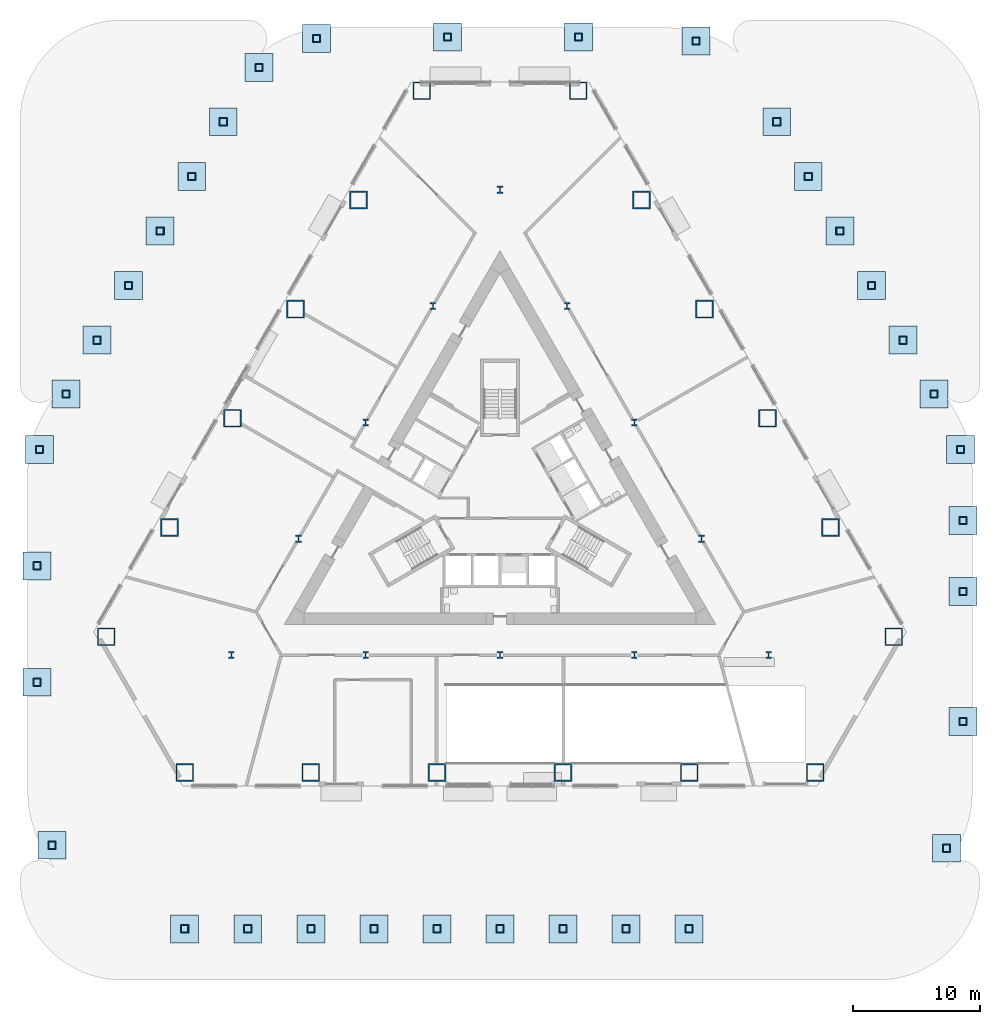
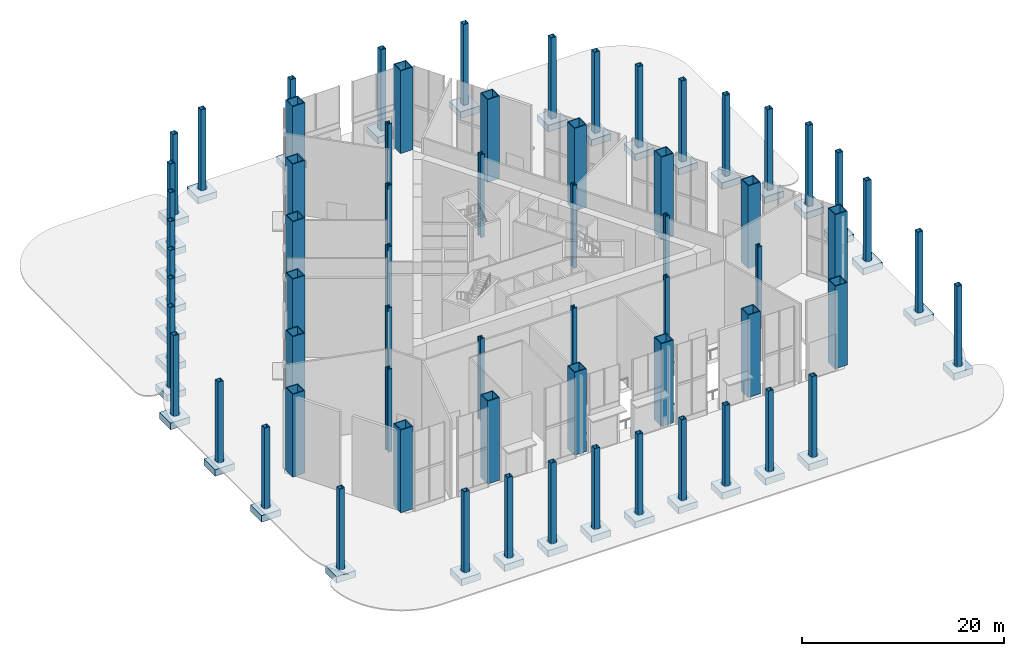
# One storey, part 1 of 18: 65 columns, 35 footings.
"""IFC4 building model written with IfcOpenShell, lengths in metres."""

from ifc_helpers import new_model, si_unit, direction, frame, origin, origin_2d, place, context, subcontext, project, spatial, polyline, hollow_rectangle, i_section, outline, extrude, material, layer, layer_set, material_profile, profile_set, type_object, element, save


model = new_model("IFC4")

# Units and contexts
model_context = context("Model", 3, precision=1e-05, world=origin(), true_north=direction((0.0, 1.0)))
body_context = subcontext(model_context, "Body", "Model", "MODEL_VIEW")
ifc_project = project(units=[si_unit("LENGTHUNIT", "METRE"), si_unit("AREAUNIT", "SQUARE_METRE"), si_unit("VOLUMEUNIT", "CUBIC_METRE"), si_unit("PLANEANGLEUNIT", "RADIAN"), si_unit("MASSUNIT", "GRAM", prefix="KILO")], contexts=[model_context])

# Site, building, storey
site_placement = place(None, origin())
site = spatial("IfcSite", under=ifc_project, at=site_placement, CompositionType="ELEMENT")
building_placement = place(site_placement, origin())
building = spatial("IfcBuilding", under=site, at=building_placement, Name="Cormorant Prow Tower", CompositionType="ELEMENT")
storey_placement = place(building_placement, origin())
storey = spatial("IfcBuildingStorey", under=building, at=storey_placement, Name="L00", CompositionType="ELEMENT", Elevation=0.0)

# Footings
ifc_material_1 = material(Name="Concrete C40/50", Category="concrete")
ifc_layer = layer(ifc_material_1, 0.800048828125)
ifc_layer_set = layer_set([ifc_layer], Name="Concrete C40/50")
footing_type = type_object("IfcFootingType", Name="Arcade pad footing 800", PredefinedType="PAD_FOOTING", material=ifc_layer_set)
footing_1_placement = place(storey_placement, frame((0.0, 0.0, -1.0)))
element("IfcFooting", 1, at=footing_1_placement, inside=storey, type_object=footing_type, Name="Arcade pad footing 1", PredefinedType="PAD_FOOTING", context=body_context, shape_type="SweptSolid", body=[
    extrude(outline(polyline([(-37.550048828125, -15.452880859375), (-35.35009765625, -15.452880859375), (-35.35009765625, -13.2529296875), (-37.550048828125, -13.2529296875), (-37.550048828125, -15.452880859375)])), origin(), (0.0, 0.0, 1.0), 0.800048828125),
])
footing_2_placement = place(storey_placement, frame((0.0, 0.0, -1.0)))
element("IfcFooting", 2, at=footing_2_placement, inside=storey, type_object=footing_type, Name="Arcade pad footing 2", PredefinedType="PAD_FOOTING", context=body_context, shape_type="SweptSolid", body=[
    extrude(outline(polyline([(-37.550048828125, -6.281005859375), (-35.35009765625, -6.281005859375), (-35.35009765625, -4.0810546875), (-37.550048828125, -4.0810546875), (-37.550048828125, -6.281005859375)])), origin(), (0.0, 0.0, 1.0), 0.800048828125),
])
footing_3_placement = place(storey_placement, frame((0.0, 0.0, -1.0)))
element("IfcFooting", 3, at=footing_3_placement, inside=storey, type_object=footing_type, Name="Arcade pad footing 3", PredefinedType="PAD_FOOTING", context=body_context, shape_type="SweptSolid", body=[
    extrude(outline(polyline([(-37.35009765625, 2.876953125), (-35.14990234375, 2.876953125), (-35.14990234375, 5.076904296875), (-37.35009765625, 5.076904296875), (-37.35009765625, 2.876953125)])), origin(), (0.0, 0.0, 1.0), 0.800048828125),
])
footing_4_placement = place(storey_placement, frame((0.0, 0.0, -1.0)))
element("IfcFooting", 4, at=footing_4_placement, inside=storey, type_object=footing_type, Name="Arcade pad footing 4", PredefinedType="PAD_FOOTING", context=body_context, shape_type="SweptSolid", body=[
    extrude(outline(polyline([(-35.263916015625, 7.259033203125), (-33.06396484375, 7.259033203125), (-33.06396484375, 9.458984375), (-35.263916015625, 9.458984375), (-35.263916015625, 7.259033203125)])), origin(), (0.0, 0.0, 1.0), 0.800048828125),
])
footing_5_placement = place(storey_placement, frame((0.0, 0.0, -1.0)))
element("IfcFooting", 5, at=footing_5_placement, inside=storey, type_object=footing_type, Name="Arcade pad footing 5", PredefinedType="PAD_FOOTING", context=body_context, shape_type="SweptSolid", body=[
    extrude(outline(polyline([(-32.825927734375, 11.48291015625), (-30.6259765625, 11.48291015625), (-30.6259765625, 13.68310546875), (-32.825927734375, 13.68310546875), (-32.825927734375, 11.48291015625)])), origin(), (0.0, 0.0, 1.0), 0.800048828125),
])
footing_6_placement = place(storey_placement, frame((0.0, 0.0, -1.0)))
element("IfcFooting", 6, at=footing_6_placement, inside=storey, type_object=footing_type, Name="Arcade pad footing 6", PredefinedType="PAD_FOOTING", context=body_context, shape_type="SweptSolid", body=[
    extrude(outline(polyline([(-30.343017578125, 15.782958984375), (-28.14306640625, 15.782958984375), (-28.14306640625, 17.98291015625), (-30.343017578125, 17.98291015625), (-30.343017578125, 15.782958984375)])), origin(), (0.0, 0.0, 1.0), 0.800048828125),
])
footing_7_placement = place(storey_placement, frame((0.0, 0.0, -1.0)))
element("IfcFooting", 7, at=footing_7_placement, inside=storey, type_object=footing_type, Name="Arcade pad footing 7", PredefinedType="PAD_FOOTING", context=body_context, shape_type="SweptSolid", body=[
    extrude(outline(polyline([(-27.860107421875, 20.083984375), (-25.659912109375, 20.083984375), (-25.659912109375, 22.283935546875), (-27.860107421875, 22.283935546875), (-27.860107421875, 20.083984375)])), origin(), (0.0, 0.0, 1.0), 0.800048828125),
])
footing_8_placement = place(storey_placement, frame((0.0, 0.0, -1.0)))
element("IfcFooting", 8, at=footing_8_placement, inside=storey, type_object=footing_type, Name="Arcade pad footing 8", PredefinedType="PAD_FOOTING", context=body_context, shape_type="SweptSolid", body=[
    extrude(outline(polyline([(-25.376953125, 24.385009765625), (-23.177001953125, 24.385009765625), (-23.177001953125, 26.5849609375), (-25.376953125, 26.5849609375), (-25.376953125, 24.385009765625)])), origin(), (0.0, 0.0, 1.0), 0.800048828125),
])
footing_9_placement = place(storey_placement, frame((0.0, 0.0, -1.0)))
element("IfcFooting", 9, at=footing_9_placement, inside=storey, type_object=footing_type, Name="Arcade pad footing 9", PredefinedType="PAD_FOOTING", context=body_context, shape_type="SweptSolid", body=[
    extrude(outline(polyline([(-22.89404296875, 28.68603515625), (-20.694091796875, 28.68603515625), (-20.694091796875, 30.885986328125), (-22.89404296875, 30.885986328125), (-22.89404296875, 28.68603515625)])), origin(), (0.0, 0.0, 1.0), 0.800048828125),
])
footing_10_placement = place(storey_placement, frame((0.0, 0.0, -1.0)))
element("IfcFooting", 10, at=footing_10_placement, inside=storey, type_object=footing_type, Name="Arcade pad footing 10", PredefinedType="PAD_FOOTING", context=body_context, shape_type="SweptSolid", body=[
    extrude(outline(polyline([(-20.075927734375, 32.970947265625), (-17.8759765625, 32.970947265625), (-17.8759765625, 35.1708984375), (-20.075927734375, 35.1708984375), (-20.075927734375, 32.970947265625)])), origin(), (0.0, 0.0, 1.0), 0.800048828125),
])
footing_11_placement = place(storey_placement, frame((0.0, 0.0, -1.0)))
element("IfcFooting", 11, at=footing_11_placement, inside=storey, type_object=footing_type, Name="Arcade pad footing 11", PredefinedType="PAD_FOOTING", context=body_context, shape_type="SweptSolid", body=[
    extrude(outline(polyline([(-15.553955078125, 35.2470703125), (-13.35400390625, 35.2470703125), (-13.35400390625, 37.447021484375), (-15.553955078125, 37.447021484375), (-15.553955078125, 35.2470703125)])), origin(), (0.0, 0.0, 1.0), 0.800048828125),
])
footing_12_placement = place(storey_placement, frame((0.0, 0.0, -1.0)))
element("IfcFooting", 12, at=footing_12_placement, inside=storey, type_object=footing_type, Name="Arcade pad footing 12", PredefinedType="PAD_FOOTING", context=body_context, shape_type="SweptSolid", body=[
    extrude(outline(polyline([(-5.2451171875, 35.35009765625), (-3.044921875, 35.35009765625), (-3.044921875, 37.550048828125), (-5.2451171875, 37.550048828125), (-5.2451171875, 35.35009765625)])), origin(), (0.0, 0.0, 1.0), 0.800048828125),
])
footing_13_placement = place(storey_placement, frame((0.0, 0.0, -1.0)))
element("IfcFooting", 13, at=footing_13_placement, inside=storey, type_object=footing_type, Name="Arcade pad footing 13", PredefinedType="PAD_FOOTING", context=body_context, shape_type="SweptSolid", body=[
    extrude(outline(polyline([(5.070068359375, 35.35009765625), (7.27001953125, 35.35009765625), (7.27001953125, 37.550048828125), (5.070068359375, 37.550048828125), (5.070068359375, 35.35009765625)])), origin(), (0.0, 0.0, 1.0), 0.800048828125),
])
footing_14_placement = place(storey_placement, frame((0.0, 0.0, -1.0)))
element("IfcFooting", 14, at=footing_14_placement, inside=storey, type_object=footing_type, Name="Arcade pad footing 14", PredefinedType="PAD_FOOTING", context=body_context, shape_type="SweptSolid", body=[
    extrude(outline(polyline([(14.33203125, 35.033935546875), (16.531982421875, 35.033935546875), (16.531982421875, 37.23388671875), (14.33203125, 37.23388671875), (14.33203125, 35.033935546875)])), origin(), (0.0, 0.0, 1.0), 0.800048828125),
])
footing_15_placement = place(storey_placement, frame((0.0, 0.0, -1.0)))
element("IfcFooting", 15, at=footing_15_placement, inside=storey, type_object=footing_type, Name="Arcade pad footing 15", PredefinedType="PAD_FOOTING", context=body_context, shape_type="SweptSolid", body=[
    extrude(outline(polyline([(20.694091796875, 28.68603515625), (22.89404296875, 28.68603515625), (22.89404296875, 30.885986328125), (20.694091796875, 30.885986328125), (20.694091796875, 28.68603515625)])), origin(), (0.0, 0.0, 1.0), 0.800048828125),
])
footing_16_placement = place(storey_placement, frame((0.0, 0.0, -1.0)))
element("IfcFooting", 16, at=footing_16_placement, inside=storey, type_object=footing_type, Name="Arcade pad footing 16", PredefinedType="PAD_FOOTING", context=body_context, shape_type="SweptSolid", body=[
    extrude(outline(polyline([(23.177001953125, 24.385009765625), (25.376953125, 24.385009765625), (25.376953125, 26.5849609375), (23.177001953125, 26.5849609375), (23.177001953125, 24.385009765625)])), origin(), (0.0, 0.0, 1.0), 0.800048828125),
])
footing_17_placement = place(storey_placement, frame((0.0, 0.0, -1.0)))
element("IfcFooting", 17, at=footing_17_placement, inside=storey, type_object=footing_type, Name="Arcade pad footing 17", PredefinedType="PAD_FOOTING", context=body_context, shape_type="SweptSolid", body=[
    extrude(outline(polyline([(25.659912109375, 20.083984375), (27.860107421875, 20.083984375), (27.860107421875, 22.283935546875), (25.659912109375, 22.283935546875), (25.659912109375, 20.083984375)])), origin(), (0.0, 0.0, 1.0), 0.800048828125),
])
footing_18_placement = place(storey_placement, frame((0.0, 0.0, -1.0)))
element("IfcFooting", 18, at=footing_18_placement, inside=storey, type_object=footing_type, Name="Arcade pad footing 18", PredefinedType="PAD_FOOTING", context=body_context, shape_type="SweptSolid", body=[
    extrude(outline(polyline([(28.14306640625, 15.782958984375), (30.343017578125, 15.782958984375), (30.343017578125, 17.98291015625), (28.14306640625, 17.98291015625), (28.14306640625, 15.782958984375)])), origin(), (0.0, 0.0, 1.0), 0.800048828125),
])
footing_19_placement = place(storey_placement, frame((0.0, 0.0, -1.0)))
element("IfcFooting", 19, at=footing_19_placement, inside=storey, type_object=footing_type, Name="Arcade pad footing 19", PredefinedType="PAD_FOOTING", context=body_context, shape_type="SweptSolid", body=[
    extrude(outline(polyline([(30.6259765625, 11.48291015625), (32.825927734375, 11.48291015625), (32.825927734375, 13.68310546875), (30.6259765625, 13.68310546875), (30.6259765625, 11.48291015625)])), origin(), (0.0, 0.0, 1.0), 0.800048828125),
])
footing_20_placement = place(storey_placement, frame((0.0, 0.0, -1.0)))
element("IfcFooting", 20, at=footing_20_placement, inside=storey, type_object=footing_type, Name="Arcade pad footing 20", PredefinedType="PAD_FOOTING", context=body_context, shape_type="SweptSolid", body=[
    extrude(outline(polyline([(33.06396484375, 7.259033203125), (35.263916015625, 7.259033203125), (35.263916015625, 9.458984375), (33.06396484375, 9.458984375), (33.06396484375, 7.259033203125)])), origin(), (0.0, 0.0, 1.0), 0.800048828125),
])
footing_21_placement = place(storey_placement, frame((0.0, 0.0, -1.0)))
element("IfcFooting", 21, at=footing_21_placement, inside=storey, type_object=footing_type, Name="Arcade pad footing 21", PredefinedType="PAD_FOOTING", context=body_context, shape_type="SweptSolid", body=[
    extrude(outline(polyline([(35.14990234375, 2.876953125), (37.35009765625, 2.876953125), (37.35009765625, 5.076904296875), (35.14990234375, 5.076904296875), (35.14990234375, 2.876953125)])), origin(), (0.0, 0.0, 1.0), 0.800048828125),
])
footing_22_placement = place(storey_placement, frame((0.0, 0.0, -1.0)))
element("IfcFooting", 22, at=footing_22_placement, inside=storey, type_object=footing_type, Name="Arcade pad footing 22", PredefinedType="PAD_FOOTING", context=body_context, shape_type="SweptSolid", body=[
    extrude(outline(polyline([(35.35009765625, -2.700927734375), (37.550048828125, -2.700927734375), (37.550048828125, -0.5009765625), (35.35009765625, -0.5009765625), (35.35009765625, -2.700927734375)])), origin(), (0.0, 0.0, 1.0), 0.800048828125),
])
footing_23_placement = place(storey_placement, frame((0.0, 0.0, -1.0)))
element("IfcFooting", 23, at=footing_23_placement, inside=storey, type_object=footing_type, Name="Arcade pad footing 23", PredefinedType="PAD_FOOTING", context=body_context, shape_type="SweptSolid", body=[
    extrude(outline(polyline([(35.35009765625, -8.2939453125), (37.550048828125, -8.2939453125), (37.550048828125, -6.093994140625), (35.35009765625, -6.093994140625), (35.35009765625, -8.2939453125)])), origin(), (0.0, 0.0, 1.0), 0.800048828125),
])
footing_24_placement = place(storey_placement, frame((0.0, 0.0, -1.0)))
element("IfcFooting", 24, at=footing_24_placement, inside=storey, type_object=footing_type, Name="Arcade pad footing 24", PredefinedType="PAD_FOOTING", context=body_context, shape_type="SweptSolid", body=[
    extrude(outline(polyline([(35.35009765625, -18.530029296875), (37.550048828125, -18.530029296875), (37.550048828125, -16.330078125), (35.35009765625, -16.330078125), (35.35009765625, -18.530029296875)])), origin(), (0.0, 0.0, 1.0), 0.800048828125),
])
footing_25_placement = place(storey_placement, frame((0.0, 0.0, -1.0)))
element("IfcFooting", 25, at=footing_25_placement, inside=storey, type_object=footing_type, Name="Arcade pad footing 25", PredefinedType="PAD_FOOTING", context=body_context, shape_type="SweptSolid", body=[
    extrude(outline(polyline([(34.05810546875, -28.52294921875), (36.258056640625, -28.52294921875), (36.258056640625, -26.322998046875), (34.05810546875, -26.322998046875), (34.05810546875, -28.52294921875)])), origin(), (0.0, 0.0, 1.0), 0.800048828125),
])
footing_26_placement = place(storey_placement, frame((0.0, 0.0, -1.0)))
element("IfcFooting", 26, at=footing_26_placement, inside=storey, type_object=footing_type, Name="Arcade pad footing 26", PredefinedType="PAD_FOOTING", context=body_context, shape_type="SweptSolid", body=[
    extrude(outline(polyline([(13.798095703125, -34.866943359375), (15.998046875, -34.866943359375), (15.998046875, -32.6669921875), (13.798095703125, -32.6669921875), (13.798095703125, -34.866943359375)])), origin(), (0.0, 0.0, 1.0), 0.800048828125),
])
footing_27_placement = place(storey_placement, frame((0.0, 0.0, -1.0)))
element("IfcFooting", 27, at=footing_27_placement, inside=storey, type_object=footing_type, Name="Arcade pad footing 27", PredefinedType="PAD_FOOTING", context=body_context, shape_type="SweptSolid", body=[
    extrude(outline(polyline([(8.83203125, -34.866943359375), (11.031982421875, -34.866943359375), (11.031982421875, -32.6669921875), (8.83203125, -32.6669921875), (8.83203125, -34.866943359375)])), origin(), (0.0, 0.0, 1.0), 0.800048828125),
])
footing_28_placement = place(storey_placement, frame((0.0, 0.0, -1.0)))
element("IfcFooting", 28, at=footing_28_placement, inside=storey, type_object=footing_type, Name="Arcade pad footing 28", PredefinedType="PAD_FOOTING", context=body_context, shape_type="SweptSolid", body=[
    extrude(outline(polyline([(3.865966796875, -34.866943359375), (6.06591796875, -34.866943359375), (6.06591796875, -32.6669921875), (3.865966796875, -32.6669921875), (3.865966796875, -34.866943359375)])), origin(), (0.0, 0.0, 1.0), 0.800048828125),
])
footing_29_placement = place(storey_placement, frame((0.0, 0.0, -1.0)))
element("IfcFooting", 29, at=footing_29_placement, inside=storey, type_object=footing_type, Name="Arcade pad footing 29", PredefinedType="PAD_FOOTING", context=body_context, shape_type="SweptSolid", body=[
    extrude(outline(polyline([(-1.10009765625, -34.866943359375), (1.10009765625, -34.866943359375), (1.10009765625, -32.6669921875), (-1.10009765625, -32.6669921875), (-1.10009765625, -34.866943359375)])), origin(), (0.0, 0.0, 1.0), 0.800048828125),
])
footing_30_placement = place(storey_placement, frame((0.0, 0.0, -1.0)))
element("IfcFooting", 30, at=footing_30_placement, inside=storey, type_object=footing_type, Name="Arcade pad footing 30", PredefinedType="PAD_FOOTING", context=body_context, shape_type="SweptSolid", body=[
    extrude(outline(polyline([(-6.06591796875, -34.866943359375), (-3.865966796875, -34.866943359375), (-3.865966796875, -32.6669921875), (-6.06591796875, -32.6669921875), (-6.06591796875, -34.866943359375)])), origin(), (0.0, 0.0, 1.0), 0.800048828125),
])
footing_31_placement = place(storey_placement, frame((0.0, 0.0, -1.0)))
element("IfcFooting", 31, at=footing_31_placement, inside=storey, type_object=footing_type, Name="Arcade pad footing 31", PredefinedType="PAD_FOOTING", context=body_context, shape_type="SweptSolid", body=[
    extrude(outline(polyline([(-11.031982421875, -34.866943359375), (-8.83203125, -34.866943359375), (-8.83203125, -32.6669921875), (-11.031982421875, -32.6669921875), (-11.031982421875, -34.866943359375)])), origin(), (0.0, 0.0, 1.0), 0.800048828125),
])
footing_32_placement = place(storey_placement, frame((0.0, 0.0, -1.0)))
element("IfcFooting", 32, at=footing_32_placement, inside=storey, type_object=footing_type, Name="Arcade pad footing 32", PredefinedType="PAD_FOOTING", context=body_context, shape_type="SweptSolid", body=[
    extrude(outline(polyline([(-15.998046875, -34.866943359375), (-13.798095703125, -34.866943359375), (-13.798095703125, -32.6669921875), (-15.998046875, -32.6669921875), (-15.998046875, -34.866943359375)])), origin(), (0.0, 0.0, 1.0), 0.800048828125),
])
footing_33_placement = place(storey_placement, frame((0.0, 0.0, -1.0)))
element("IfcFooting", 33, at=footing_33_placement, inside=storey, type_object=footing_type, Name="Arcade pad footing 33", PredefinedType="PAD_FOOTING", context=body_context, shape_type="SweptSolid", body=[
    extrude(outline(polyline([(-20.964111328125, -34.866943359375), (-18.763916015625, -34.866943359375), (-18.763916015625, -32.6669921875), (-20.964111328125, -32.6669921875), (-20.964111328125, -34.866943359375)])), origin(), (0.0, 0.0, 1.0), 0.800048828125),
])
footing_34_placement = place(storey_placement, frame((0.0, 0.0, -1.0)))
element("IfcFooting", 34, at=footing_34_placement, inside=storey, type_object=footing_type, Name="Arcade pad footing 34", PredefinedType="PAD_FOOTING", context=body_context, shape_type="SweptSolid", body=[
    extrude(outline(polyline([(-25.929931640625, -34.866943359375), (-23.72998046875, -34.866943359375), (-23.72998046875, -32.6669921875), (-25.929931640625, -32.6669921875), (-25.929931640625, -34.866943359375)])), origin(), (0.0, 0.0, 1.0), 0.800048828125),
])
footing_35_placement = place(storey_placement, frame((0.0, 0.0, -1.0)))
element("IfcFooting", 35, at=footing_35_placement, inside=storey, type_object=footing_type, Name="Arcade pad footing 35", PredefinedType="PAD_FOOTING", context=body_context, shape_type="SweptSolid", body=[
    extrude(outline(polyline([(-36.39306640625, -28.2890625), (-34.193115234375, -28.2890625), (-34.193115234375, -26.089111328125), (-36.39306640625, -26.089111328125), (-36.39306640625, -28.2890625)])), origin(), (0.0, 0.0, 1.0), 0.800048828125),
])

# Columns
ifc_material_2 = material(Name="Structural steel ASTM A572 Gr 50", Category="steel")
ifc_material_profile_1 = material_profile(ifc_material_2, hollow_rectangle(XDim=0.60009765625, YDim=0.60009765625, WallThickness=0.0400390625, at=origin_2d()), Name="Box 600x600x40")
ifc_profile_set_1 = profile_set([ifc_material_profile_1], Name="Structural steel ASTM A572 Gr 50")
column_type_1 = type_object("IfcColumnType", Name="Arcade column 600x600x40", PredefinedType="COLUMN", material=ifc_profile_set_1)
for number, where, z_axis, x_axis, name in (
    (36, (-36.449951171875, -14.35302734375, -0.199951171875), (0.0, 0.0, 1.0), (1.0, 0.0, 0.0), "Arcade column 1"),
    (37, (-36.449951171875, -5.180908203125, -0.199951171875), (0.0, 0.0, 1.0), (1.0, 0.0, 0.0), "Arcade column 2"),
    (38, (-36.25, 3.97705078125, -0.199951171875), (0.0, 0.0, 1.0), (1.0, 0.0, 0.0), "Arcade column 3"),
    (39, (-34.1640625, 8.35888671875, -0.199951171875), (0.0, 0.0, 1.0), (1.0, 0.0, 0.0), "Arcade column 4"),
    (40, (-31.72607421875, 12.5830078125, -0.199951171875), (0.0, 0.0, 1.0), (1.0, 0.0, 0.0), "Arcade column 5"),
    (41, (-29.242919921875, 16.883056640625, -0.199951171875), (0.0, 0.0, 1.0), (1.0, 0.0, 0.0), "Arcade column 6"),
    (42, (-26.760009765625, 21.18408203125, -0.199951171875), (0.0, 0.0, 1.0), (1.0, 0.0, 0.0), "Arcade column 7"),
    (43, (-24.277099609375, 25.485107421875, -0.199951171875), (0.0, 0.0, 1.0), (1.0, 0.0, 0.0), "Arcade column 8"),
    (44, (-21.7939453125, 29.785888671875, -0.199951171875), (0.0, 0.0, 1.0), (1.0, 0.0, 0.0), "Arcade column 9"),
    (45, (-18.97607421875, 34.071044921875, -0.199951171875), (0.0, 0.0, 1.0), (1.0, 0.0, 0.0), "Arcade column 10"),
    (46, (-14.4541015625, 36.346923828125, -0.199951171875), (0.0, 0.0, 1.0), (1.0, 0.0, 0.0), "Arcade column 11"),
    (47, (-4.14501953125, 36.449951171875, -0.199951171875), (0.0, 0.0, 1.0), (1.0, 0.0, 0.0), "Arcade column 12"),
    (48, (6.169921875, 36.449951171875, -0.199951171875), (0.0, 0.0, 1.0), (1.0, 0.0, 0.0), "Arcade column 13"),
    (49, (15.431884765625, 36.134033203125, -0.199951171875), (0.0, 0.0, 1.0), (1.0, 0.0, 0.0), "Arcade column 14"),
    (50, (21.7939453125, 29.785888671875, -0.199951171875), (0.0, 0.0, 1.0), (1.0, 0.0, 0.0), "Arcade column 15"),
    (51, (24.277099609375, 25.485107421875, -0.199951171875), (0.0, 0.0, 1.0), (1.0, 0.0, 0.0), "Arcade column 16"),
    (52, (26.760009765625, 21.18408203125, -0.199951171875), (0.0, 0.0, 1.0), (1.0, 0.0, 0.0), "Arcade column 17"),
    (53, (29.242919921875, 16.883056640625, -0.199951171875), (0.0, 0.0, 1.0), (1.0, 0.0, 0.0), "Arcade column 18"),
    (54, (31.72607421875, 12.5830078125, -0.199951171875), (0.0, 0.0, 1.0), (1.0, 0.0, 0.0), "Arcade column 19"),
    (55, (34.1640625, 8.35888671875, -0.199951171875), (0.0, 0.0, 1.0), (1.0, 0.0, 0.0), "Arcade column 20"),
    (56, (36.25, 3.97705078125, -0.199951171875), (0.0, 0.0, 1.0), (1.0, 0.0, 0.0), "Arcade column 21"),
    (57, (36.449951171875, -1.60107421875, -0.199951171875), (0.0, 0.0, 1.0), (1.0, 0.0, 0.0), "Arcade column 22"),
    (58, (36.449951171875, -7.194091796875, -0.199951171875), (0.0, 0.0, 1.0), (1.0, 0.0, 0.0), "Arcade column 23"),
    (59, (36.449951171875, -17.429931640625, -0.199951171875), (0.0, 0.0, 1.0), (1.0, 0.0, 0.0), "Arcade column 24"),
    (60, (35.157958984375, -27.423095703125, -0.199951171875), (0.0, 0.0, 1.0), (1.0, 0.0, 0.0), "Arcade column 25"),
    (61, (14.89794921875, -33.76708984375, -0.199951171875), (0.0, 0.0, 1.0), (1.0, 0.0, 0.0), "Arcade column 26"),
    (62, (9.931884765625, -33.76708984375, -0.199951171875), (0.0, 0.0, 1.0), (1.0, 0.0, 0.0), "Arcade column 27"),
    (63, (4.966064453125, -33.76708984375, -0.199951171875), (0.0, 0.0, 1.0), (1.0, 0.0, 0.0), "Arcade column 28"),
    (64, (0.0, -33.76708984375, -0.199951171875), (0.0, 0.0, 1.0), (1.0, 0.0, 0.0), "Arcade column 29"),
    (65, (-4.966064453125, -33.76708984375, -0.199951171875), (0.0, 0.0, 1.0), (1.0, 0.0, 0.0), "Arcade column 30"),
    (66, (-9.931884765625, -33.76708984375, -0.199951171875), (0.0, 0.0, 1.0), (1.0, 0.0, 0.0), "Arcade column 31"),
    (67, (-14.89794921875, -33.76708984375, -0.199951171875), (0.0, 0.0, 1.0), (1.0, 0.0, 0.0), "Arcade column 32"),
    (68, (-19.864013671875, -33.76708984375, -0.199951171875), (0.0, 0.0, 1.0), (1.0, 0.0, 0.0), "Arcade column 33"),
    (69, (-24.830078125, -33.76708984375, -0.199951171875), (0.0, 0.0, 1.0), (1.0, 0.0, 0.0), "Arcade column 34"),
    (70, (-35.29296875, -27.18896484375, -0.199951171875), (0.0, 0.0, 1.0), (1.0, 0.0, 0.0), "Arcade column 35"),
):
    element("IfcColumn", number, at=place(storey_placement, frame(where, z_axis=z_axis, x_axis=x_axis)), inside=storey, type_object=column_type_1, Name=name, PredefinedType="COLUMN", context=body_context, shape_type="SweptSolid", body=[
        extrude(hollow_rectangle(XDim=0.60009765625, YDim=0.60009765625, WallThickness=0.0400390625, at=origin_2d()), origin(), (0.0, 0.0, 1.0), 9.800048828125),
    ])
ifc_material_3 = material(Name="Structural steel ASTM A572 Gr 50", Category="steel")
ifc_material_profile_2 = material_profile(ifc_material_3, hollow_rectangle(XDim=1.39990234375, YDim=1.39990234375, WallThickness=0.10009765625, at=origin_2d()), Name="Box 1400x1400x100")
ifc_profile_set_2 = profile_set([ifc_material_profile_2], Name="Structural steel ASTM A572 Gr 50")
column_type_2 = type_object("IfcColumnType", Name="Perimeter box column 1400x1400x100", PredefinedType="COLUMN", material=ifc_profile_set_2)
for number, where, z_axis, x_axis, name in (
    (71, (-24.830322265625, -21.4599609375, 0.0), (0.0, 0.0, 1.0), (1.0, 0.0, 0.0), "Perimeter column at S00 L00"),
    (72, (-14.898193359375, -21.4599609375, 0.0), (0.0, 0.0, 1.0), (1.0, 0.0, 0.0), "Perimeter column at S02 L00"),
    (73, (-4.966064453125, -21.4599609375, 0.0), (0.0, 0.0, 1.0), (1.0, 0.0, 0.0), "Perimeter column at S04 L00"),
    (74, (4.966064453125, -21.4599609375, 0.0), (0.0, 0.0, 1.0), (1.0, 0.0, 0.0), "Perimeter column at S06 L00"),
    (75, (14.898193359375, -21.4599609375, 0.0), (0.0, 0.0, 1.0), (1.0, 0.0, 0.0), "Perimeter column at S08 L00"),
    (76, (24.830322265625, -21.4599609375, 0.0), (0.0, 0.0, 1.0), (1.0, 0.0, 0.0), "Perimeter column at ESE00 L00"),
    (77, (31.0, -10.773681640625, 0.0), (0.0, 0.0, 1.0), (1.0, 0.0, 0.0), "Perimeter column at ENE00 L00"),
    (78, (26.033935546875, -2.17236328125, 0.0), (0.0, 0.0, 1.0), (1.0, 0.0, 0.0), "Perimeter column at ENE02 L00"),
    (79, (21.06787109375, 6.42919921875, 0.0), (0.0, 0.0, 1.0), (1.0, 0.0, 0.0), "Perimeter column at ENE04 L00"),
    (80, (16.101806640625, 15.03076171875, 0.0), (0.0, 0.0, 1.0), (1.0, 0.0, 0.0), "Perimeter column at ENE06 L00"),
    (81, (11.1357421875, 23.632080078125, 0.0), (0.0, 0.0, 1.0), (1.0, 0.0, 0.0), "Perimeter column at ENE08 L00"),
    (82, (6.169677734375, 32.233642578125, 0.0), (0.0, 0.0, 1.0), (1.0, 0.0, 0.0), "Perimeter column at N00 L00"),
    (83, (-6.169677734375, 32.233642578125, 0.0), (0.0, 0.0, 1.0), (1.0, 0.0, 0.0), "Perimeter column at WNW00 L00"),
    (84, (-11.1357421875, 23.632080078125, 0.0), (0.0, 0.0, 1.0), (1.0, 0.0, 0.0), "Perimeter column at WNW02 L00"),
    (85, (-16.101806640625, 15.03076171875, 0.0), (0.0, 0.0, 1.0), (1.0, 0.0, 0.0), "Perimeter column at WNW04 L00"),
    (86, (-21.06787109375, 6.42919921875, 0.0), (0.0, 0.0, 1.0), (1.0, 0.0, 0.0), "Perimeter column at WNW06 L00"),
    (87, (-26.033935546875, -2.17236328125, 0.0), (0.0, 0.0, 1.0), (1.0, 0.0, 0.0), "Perimeter column at WNW08 L00"),
    (88, (-31.0, -10.773681640625, 0.0), (0.0, 0.0, 1.0), (1.0, 0.0, 0.0), "Perimeter column at WSW00 L00"),
):
    element("IfcColumn", number, at=place(storey_placement, frame(where, z_axis=z_axis, x_axis=x_axis)), inside=storey, type_object=column_type_2, Name=name, PredefinedType="COLUMN", context=body_context, shape_type="SweptSolid", body=[
        extrude(hollow_rectangle(XDim=1.39990234375, YDim=1.39990234375, WallThickness=0.10009765625, at=origin_2d()), origin(), (0.0, 0.0, 1.0), 10.0),
    ])
ifc_material_4 = material(Name="Structural steel ASTM A992 Gr 50", Category="steel")
ifc_material_profile_3 = material_profile(ifc_material_4, i_section(OverallWidth=0.454345703125, OverallDepth=0.569580078125, WebThickness=0.077880859375, FlangeThickness=0.124755859375, at=origin_2d()), Name="W14x730")
ifc_profile_set_3 = profile_set([ifc_material_profile_3], Name="Structural steel ASTM A992 Gr 50")
column_type_3 = type_object("IfcColumnType", Name="Ring column W14x730", PredefinedType="COLUMN", material=ifc_profile_set_3)
for number, where, z_axis, x_axis, name in (
    (89, (0.0, 24.429931640625, 0.0), (0.0, 0.0, 1.0), (1.0, 0.0, 0.0), "Ring column 1 L00"),
    (90, (-5.289306640625, 15.268798828125, 0.0), (0.0, 0.0, 1.0), (1.0, 0.0, 0.0), "Ring column 2 L00"),
    (91, (-10.578369140625, 6.107421875, 0.0), (0.0, 0.0, 1.0), (1.0, 0.0, 0.0), "Ring column 3 L00"),
    (92, (-15.86767578125, -3.0537109375, 0.0), (0.0, 0.0, 1.0), (1.0, 0.0, 0.0), "Ring column 4 L00"),
    (93, (-21.156982421875, -12.21484375, 0.0), (0.0, 0.0, 1.0), (1.0, 0.0, 0.0), "Ring column 5 L00"),
    (94, (-10.578369140625, -12.21484375, 0.0), (0.0, 0.0, 1.0), (1.0, 0.0, 0.0), "Ring column 6 L00"),
    (95, (0.0, -12.21484375, 0.0), (0.0, 0.0, 1.0), (1.0, 0.0, 0.0), "Ring column 7 L00"),
    (96, (10.578369140625, -12.21484375, 0.0), (0.0, 0.0, 1.0), (1.0, 0.0, 0.0), "Ring column 8 L00"),
    (97, (21.156982421875, -12.21484375, 0.0), (0.0, 0.0, 1.0), (1.0, 0.0, 0.0), "Ring column 9 L00"),
    (98, (15.86767578125, -3.0537109375, 0.0), (0.0, 0.0, 1.0), (1.0, 0.0, 0.0), "Ring column 10 L00"),
    (99, (10.578369140625, 6.107421875, 0.0), (0.0, 0.0, 1.0), (1.0, 0.0, 0.0), "Ring column 11 L00"),
    (100, (5.289306640625, 15.268798828125, 0.0), (0.0, 0.0, 1.0), (1.0, 0.0, 0.0), "Ring column 12 L00"),
):
    element("IfcColumn", number, at=place(storey_placement, frame(where, z_axis=z_axis, x_axis=x_axis)), inside=storey, type_object=column_type_3, Name=name, PredefinedType="COLUMN", context=body_context, shape_type="SweptSolid", body=[
        extrude(i_section(OverallWidth=0.454345703125, OverallDepth=0.569580078125, WebThickness=0.077880859375, FlangeThickness=0.124755859375, at=origin_2d()), origin(), (0.0, 0.0, 1.0), 10.0),
    ])

save(model, "model.ifc")
